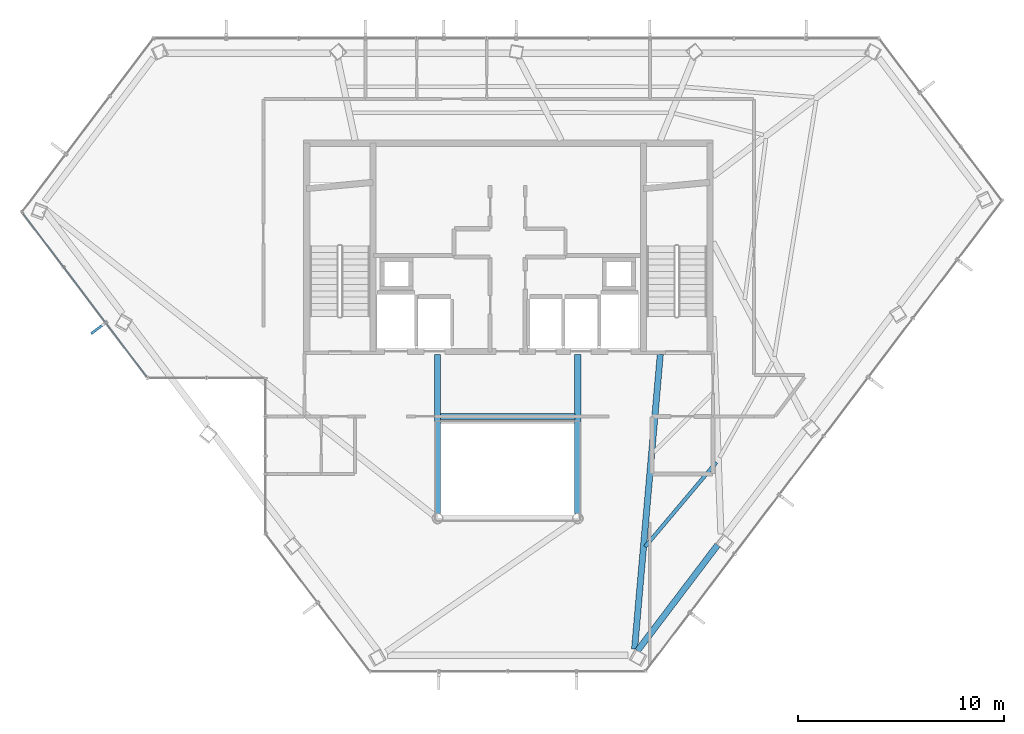
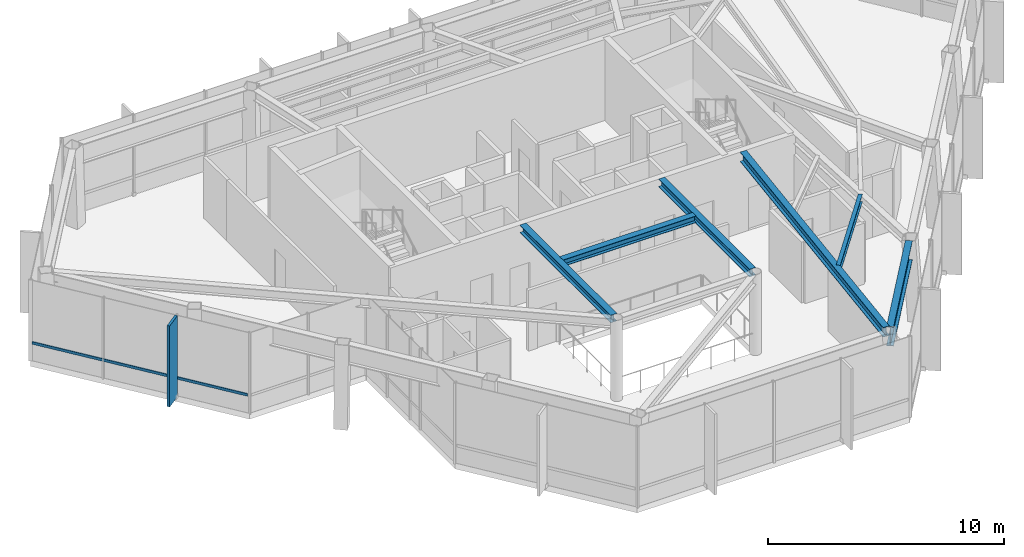
# One storey, part 6 of 22: 6 beams, 2 members, 1 element without a shape of its own.
"""IFC4 building model written with IfcOpenShell, lengths in metres."""

from ifc_helpers import new_model, si_unit, direction, frame, origin, origin_2d, place, context, subcontext, project, spatial, rectangle, hollow_rectangle, i_section, extrude, material, layer, layer_set, material_profile, profile_set, type_object, element, aggregate, save


model = new_model("IFC4")

# Units and contexts
model_context = context("Model", 3, precision=1e-05, world=origin(), true_north=direction((0.0, 1.0)))
body_context = subcontext(model_context, "Body", "Model", "MODEL_VIEW")
ifc_project = project(units=[si_unit("LENGTHUNIT", "METRE"), si_unit("AREAUNIT", "SQUARE_METRE"), si_unit("VOLUMEUNIT", "CUBIC_METRE"), si_unit("PLANEANGLEUNIT", "RADIAN"), si_unit("MASSUNIT", "GRAM", prefix="KILO")], contexts=[model_context])

# Site, building, storey
site_placement = place(None, origin())
site = spatial("IfcSite", under=ifc_project, at=site_placement, CompositionType="ELEMENT")
building_placement = place(site_placement, origin())
building = spatial("IfcBuilding", under=site, at=building_placement, Name="Zarrinselat Tower", CompositionType="ELEMENT")
storey_placement = place(building_placement, frame((0.0, 0.0, 204.340087890625)))
storey = spatial("IfcBuildingStorey", under=building, at=storey_placement, Name="L50", CompositionType="ELEMENT", Elevation=204.340087890625)

# Beams
ifc_material_1 = material(Name="Steel S355J2", Category="steel")
ifc_material_profile_1 = material_profile(ifc_material_1, i_section(OverallWidth=0.300048828125, OverallDepth=0.35009765625, WebThickness=0.010009765625, FlangeThickness=0.017578125, at=origin_2d()), Name="HEA 360")
ifc_profile_set_1 = profile_set([ifc_material_profile_1], Name="Steel S355J2")
beam_type_1 = type_object("IfcBeamType", Name="BM-HEA360", PredefinedType="LINTEL", material=ifc_profile_set_1)
beam_1_placement = place(storey_placement, frame((35.139892578125, 30.14990234375, 4.02490234375), z_axis=(1.0, 0.0, 0.0), x_axis=(0.0, 1.0, 0.0)))
element("IfcBeam", 1, at=beam_1_placement, inside=storey, type_object=beam_type_1, Name="L50 Lift Lobby Ceiling Beam", PredefinedType="LINTEL", context=body_context, shape_type="SweptSolid", body=[
    extrude(i_section(OverallWidth=0.300048828125, OverallDepth=0.35009765625, WebThickness=0.010009765625, FlangeThickness=0.017578125, at=origin_2d()), origin(), (0.0, 0.0, 1.0), 6.52001953125),
])
ifc_material_2 = material(Name="Steel S355J2", Category="steel")
ifc_material_profile_2 = material_profile(ifc_material_2, i_section(OverallWidth=0.300048828125, OverallDepth=0.39990234375, WebThickness=0.013427734375, FlangeThickness=0.02392578125, at=origin_2d()), Name="HEB 400")
ifc_profile_set_2 = profile_set([ifc_material_profile_2], Name="Steel S355J2")
beam_type_2 = type_object("IfcBeamType", Name="BM-HEB400", PredefinedType="BEAM", material=ifc_profile_set_2)
for number, where, z_axis, x_axis, name in (
    (2, (35.0, 25.43994140625, 4.0), (0.0, 1.0, 0.0), (-1.0, 0.0, 0.0), "L50 Atrium Edge Beam W"),
    (3, (41.800048828125, 25.43994140625, 4.0), (0.0, 1.0, 0.0), (-1.0, 0.0, 0.0), "L50 Atrium Edge Beam E"),
):
    element("IfcBeam", number, at=place(storey_placement, frame(where, z_axis=z_axis, x_axis=x_axis)), inside=storey, type_object=beam_type_2, Name=name, PredefinedType="BEAM", context=body_context, shape_type="SweptSolid", body=[
        extrude(i_section(OverallWidth=0.300048828125, OverallDepth=0.39990234375, WebThickness=0.013427734375, FlangeThickness=0.02392578125, at=origin_2d()), origin(), (0.0, 0.0, 1.0), 7.719970703125),
    ])
ifc_material_3 = material(Name="Steel S355J2", Category="steel")
ifc_material_profile_3 = material_profile(ifc_material_3, i_section(OverallWidth=0.300048828125, OverallDepth=0.5, WebThickness=0.014404296875, FlangeThickness=0.028076171875, at=origin_2d()), Name="HEB 500")
ifc_profile_set_3 = profile_set([ifc_material_profile_3], Name="Steel S355J2")
beam_type_3 = type_object("IfcBeamType", Name="BM-HEB500", PredefinedType="BEAM", material=ifc_profile_set_3)
beam_2_placement = place(storey_placement, frame((44.55224609375, 18.861328125, 3.949951171875), z_axis=(0.086937161169, 0.996213797339, 0.0), x_axis=(-0.996213797339, 0.086937161169, 0.0)))
element("IfcBeam", 4, at=beam_2_placement, inside=storey, type_object=beam_type_3, Name="L50 Radial Primary Girder RG11", PredefinedType="BEAM", context=body_context, shape_type="SweptSolid", body=[
    extrude(i_section(OverallWidth=0.300048828125, OverallDepth=0.5, WebThickness=0.014404296875, FlangeThickness=0.028076171875, at=origin_2d()), origin(), (0.0, 0.0, 1.0), 14.35302734375),
])
ifc_material_4 = material(Name="Steel S460M", Category="steel")
ifc_material_profile_4 = material_profile(ifc_material_4, i_section(OverallWidth=0.302001953125, OverallDepth=1.008056640625, WebThickness=0.02099609375, FlangeThickness=0.0400390625, at=origin_2d()), Name="HEM 1000")
ifc_profile_set_4 = profile_set([ifc_material_profile_4], Name="Steel S460M")
beam_type_4 = type_object("IfcBeamType", Name="BM-HEM1000", PredefinedType="BEAM", material=ifc_profile_set_4)
beam_3_placement = place(storey_placement, frame((44.699951171875, 18.7900390625, 3.69580078125), z_axis=(0.603860615044, 0.797089930684, 0.0), x_axis=(-0.797089930684, 0.603860615044, 0.0)))
element("IfcBeam", 5, at=beam_3_placement, inside=storey, type_object=beam_type_4, Name="L50 Perimeter Spandrel Girder SP11", PredefinedType="BEAM", context=body_context, shape_type="SweptSolid", body=[
    extrude(i_section(OverallWidth=0.302001953125, OverallDepth=1.008056640625, WebThickness=0.02099609375, FlangeThickness=0.0400390625, at=origin_2d()), origin(), (0.0, 0.0, 1.0), 6.423583984375),
])
ifc_material_5 = material(Name="Steel S355J2", Category="steel")
ifc_material_profile_5 = material_profile(ifc_material_5, i_section(OverallWidth=0.179931640625, OverallDepth=0.39990234375, WebThickness=0.008544921875, FlangeThickness=0.013427734375, at=origin_2d()), Name="IPE 400")
ifc_profile_set_5 = profile_set([ifc_material_profile_5], Name="Steel S355J2")
beam_type_5 = type_object("IfcBeamType", Name="BM-IPE400", PredefinedType="JOIST", material=ifc_profile_set_5)
beam_4_placement = place(storey_placement, frame((45.066650390625, 23.830078125, 4.0), z_axis=(0.644559631843, 0.7645540406, 0.0), x_axis=(-0.7645540406, 0.644559631843, 0.0)))
element("IfcBeam", 6, at=beam_4_placement, inside=storey, type_object=beam_type_5, Name="L50 Composite Floor Joist 3-1", PredefinedType="JOIST", context=body_context, shape_type="SweptSolid", body=[
    extrude(i_section(OverallWidth=0.179931640625, OverallDepth=0.39990234375, WebThickness=0.008544921875, FlangeThickness=0.013427734375, at=origin_2d()), origin(), (0.0, 0.0, 1.0), 5.35498046875),
])

# Curtain wall, members
ifc_material_6 = material(Name="Extruded Aluminium Alloy EN AW-6063 T6", Category="aluminium")
ifc_layer = layer(ifc_material_6, 0.195068359375)
ifc_layer_set = layer_set([ifc_layer], Name="Extruded Aluminium Alloy EN AW-6063 T6")
curtain_wall_type = type_object("IfcCurtainWallType", Name="CWS-GDN", PredefinedType="NOTDEFINED", material=ifc_layer_set)
curtain_wall_placement = place(storey_placement, origin())
curtain_wall = element("IfcCurtainWall", 7, at=curtain_wall_placement, inside=storey, type_object=curtain_wall_type, Name="L50 Unitised Curtain Wall CW-L50-E25", PredefinedType="NOTDEFINED")
ifc_material_7 = material(Name="Extruded Aluminium Alloy EN AW-6063 T6", Category="aluminium")
ifc_material_profile_6 = material_profile(ifc_material_7, hollow_rectangle(XDim=0.06005859375, YDim=0.139892578125, WallThickness=0.00390625, at=origin_2d()), Name="RHS 140x60x4")
ifc_profile_set_6 = profile_set([ifc_material_profile_6], Name="Extruded Aluminium Alloy EN AW-6063 T6")
member_type_1 = type_object("IfcMemberType", Name="MEM-CW-TRN", PredefinedType="USERDEFINED", material=ifc_profile_set_6)
member_1_placement = place(storey_placement, frame((20.881591796875, 32.086669921875, 0.949951171875), z_axis=(-0.603871442543, 0.797081727855, 0.0), x_axis=(-0.797081727855, -0.603871442543, 0.0)))
member_1 = element("IfcMember", 8, at=member_1_placement, type_object=member_type_1, Name="CW-L50-E25 Transom 1", ObjectType="TRANSOM", PredefinedType="USERDEFINED", context=body_context, shape_type="SweptSolid", body=[
    extrude(hollow_rectangle(XDim=0.06005859375, YDim=0.139892578125, WallThickness=0.00390625, at=origin_2d()), origin(), (0.0, 0.0, 1.0), 9.910400390625),
])
ifc_material_8 = material(Name="Honed Cream Travertine Stone", Category="masonry")
ifc_material_profile_7 = material_profile(ifc_material_8, rectangle(XDim=0.1201171875, YDim=0.85009765625, at=origin_2d()), Name="FIN 850x120")
ifc_profile_set_7 = profile_set([ifc_material_profile_7], Name="Honed Cream Travertine Stone")
member_type_2 = type_object("IfcMemberType", Name="MEM-STONE-FIN", PredefinedType="USERDEFINED", material=ifc_profile_set_7)
member_2_placement = place(storey_placement, frame((18.5380859375, 34.418212890625, 0.0), z_axis=(0.0, 0.0, 1.0), x_axis=(-0.603858445775, 0.797091574078, 0.0)))
member_2 = element("IfcMember", 9, at=member_2_placement, type_object=member_type_2, Name="L50 Stone Shading Fin CW-L50-E25-01", ObjectType="FIN", PredefinedType="USERDEFINED", context=body_context, shape_type="SweptSolid", body=[
    extrude(rectangle(XDim=0.1201171875, YDim=0.85009765625, at=origin_2d()), origin(), (0.0, 0.0, 1.0), 4.199951171875),
])
aggregate(curtain_wall, [member_2, member_1])

save(model, "model.ifc")
